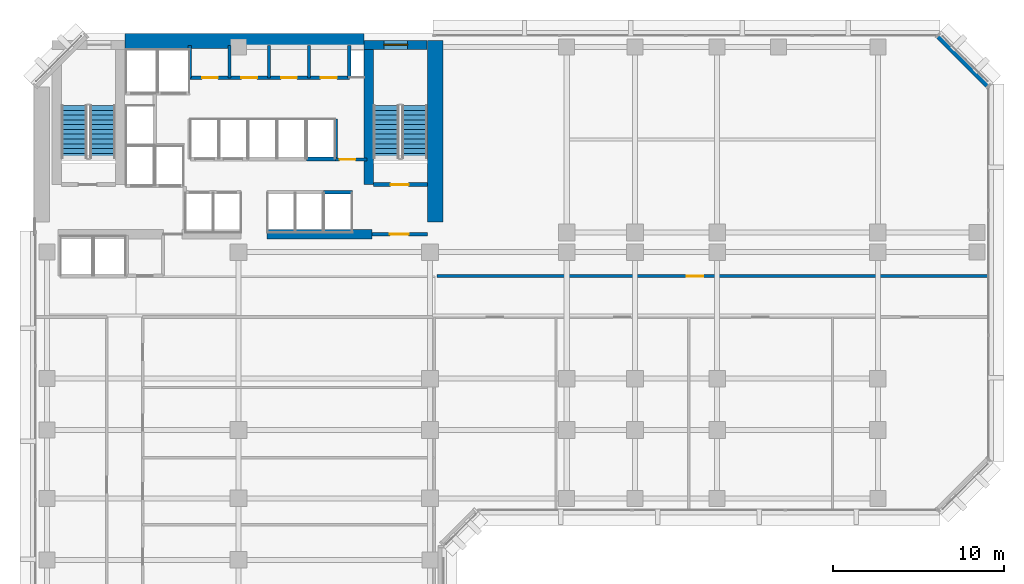
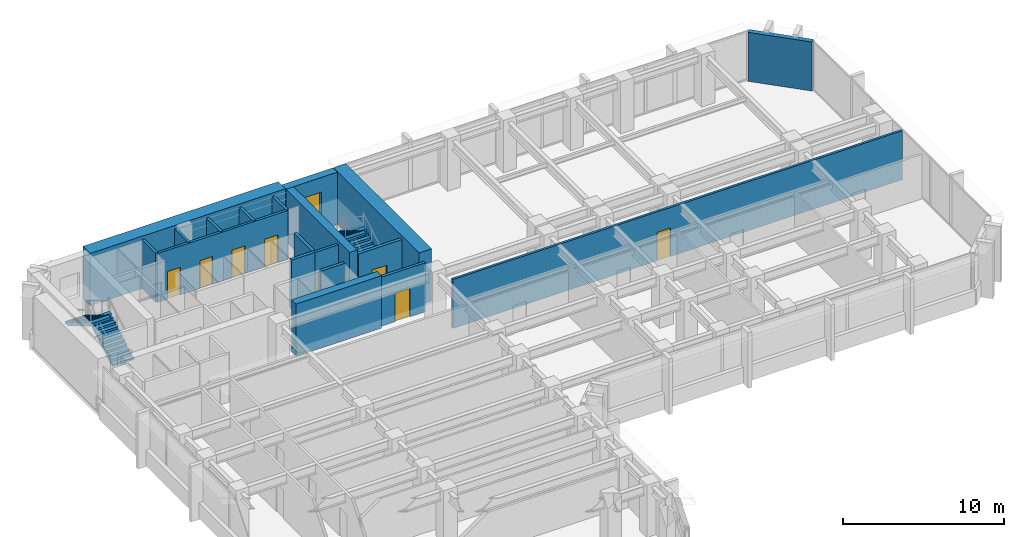
# One storey, part 8 of 13: 19 walls, 8 doors, 4 stair flights, 1 window, 9 openings, 2 elements without a shape of their own.
"""IFC4 building model written with IfcOpenShell, lengths in metres."""

from ifc_helpers import new_model, si_unit, direction, frame, frame_2d, origin, place, context, subcontext, project, spatial, polyline, rectangle, outline, extrude, material, layer, layer_set, type_object, element, fill, aggregate, save


model = new_model("IFC4")

# Units and contexts
model_context = context("Model", 3, precision=1e-05, world=origin(), true_north=direction((0.0, 1.0)))
body_context = subcontext(model_context, "Body", "Model", "MODEL_VIEW")
ifc_project = project(units=[si_unit("LENGTHUNIT", "METRE"), si_unit("AREAUNIT", "SQUARE_METRE"), si_unit("VOLUMEUNIT", "CUBIC_METRE"), si_unit("PLANEANGLEUNIT", "RADIAN"), si_unit("MASSUNIT", "GRAM", prefix="KILO")], contexts=[model_context])

# Site, building, storey
site_placement = place(None, origin())
site = spatial("IfcSite", under=ifc_project, at=site_placement, CompositionType="ELEMENT")
building_placement = place(site_placement, origin())
building = spatial("IfcBuilding", under=site, at=building_placement, Name="Kefirva Bronze Tower", CompositionType="ELEMENT")
storey_placement = place(building_placement, frame((0.0, 0.0, 81.840087890625)))
storey = spatial("IfcBuildingStorey", under=building, at=storey_placement, Name="L19", CompositionType="ELEMENT", Elevation=81.840087890625)

# Wall, opening, door
ifc_material_1 = material(Name="Gypsum fireboard shaftwall")
ifc_layer_1 = layer(ifc_material_1, 0.219970703125, Name="Gypsum fireboard shaftwall")
ifc_layer_set_1 = layer_set([ifc_layer_1], Name="Gypsum fireboard shaftwall")
wall_type_1 = type_object("IfcWallType", Name="Fire-Rated Shaft Enclosure Wall 220mm", PredefinedType="PARTITIONING", material=ifc_layer_set_1)
wall_1_placement = place(storey_placement, frame((19.89990234375, 37.14990234375, 0.0), z_axis=(0.0, 0.0, 1.0), x_axis=(1.0, 0.0, 0.0)))
wall_1 = element("IfcWall", 1, at=wall_1_placement, inside=storey, type_object=wall_type_1, Name="L19 Partition W-L19-ST2S", PredefinedType="PARTITIONING", context=body_context, shape_type="SweptSolid", body=[
    extrude(rectangle(XDim=3.150146484375, YDim=0.219970703125, at=frame_2d((1.5751953125, 0.0))), origin(), (0.0, 0.0, 1.0), 3.7099609375),
])
opening_1_placement = place(wall_1_placement, frame((2.050048828125, 0.0, 0.0), z_axis=(0.0, 0.0, 1.0), x_axis=(-1.0, 0.0, 0.0)))
opening_1 = element("IfcOpeningElement", 2, at=opening_1_placement, cuts=wall_1, Name="Opening L19-D003", PredefinedType="OPENING", context=body_context, shape_type="SweptSolid", body=[
    extrude(rectangle(XDim=1.050048828125, YDim=2.14990234375, at=frame_2d((0.52490234375, 1.074951171875))), frame((0.0, 0.1201171875, 0.0), z_axis=(0.0, -1.0, 0.0), x_axis=(1.0, 0.0, 0.0)), (0.0, 0.0, 1.0), 0.239990234375),
])
ifc_material_2 = material(Name="Painted galvanized steel", Category="steel")
door_type_1 = type_object("IfcDoorType", Name="Fire Stair Enclosure Door 1050x2150 FD90S", OperationType="NOTDEFINED", PredefinedType="DOOR", material=ifc_material_2)
door_1_placement = place(opening_1_placement, origin())
door_1 = element("IfcDoor", 3, at=door_1_placement, inside=storey, type_object=door_type_1, Name="Door L19-D003", OperationType="SINGLE_SWING_LEFT", OverallHeight=2.14990234375, OverallWidth=1.050048828125, PredefinedType="DOOR", context=body_context, shape_type="SweptSolid", body=[
    extrude(rectangle(XDim=1.050048828125, YDim=2.14990234375, at=frame_2d((0.52490234375, 1.074951171875))), frame((0.0, 0.02490234375, 0.0), z_axis=(0.0, -1.0, 0.0), x_axis=(1.0, 0.0, 0.0)), (0.0, 0.0, 1.0), 0.050048828125),
])
fill(opening_1, door_1)

# Walls
wall_2_placement = place(storey_placement, frame((17.679931640625, 38.64990234375, 0.0), z_axis=(0.0, 0.0, 1.0), x_axis=(0.0, 1.0, 0.0)))
element("IfcWall", 4, at=wall_2_placement, inside=storey, type_object=wall_type_1, Name="L19 Partition W-L19-HP2E", PredefinedType="PARTITIONING", context=body_context, shape_type="SweptSolid", body=[
    extrude(rectangle(XDim=2.35009765625, YDim=0.199951171875, at=frame_2d((1.175048828125, 0.0))), origin(), (0.0, 0.0, 1.0), 3.7099609375),
])
wall_3_placement = place(storey_placement, frame((16.97998046875, 36.699951171875, 0.0), z_axis=(0.0, 0.0, 1.0), x_axis=(1.0, 0.0, 0.0)))
element("IfcWall", 5, at=wall_3_placement, inside=storey, type_object=wall_type_1, Name="L19 Partition W-L19-HPS", PredefinedType="PARTITIONING", context=body_context, shape_type="SweptSolid", body=[
    extrude(rectangle(XDim=1.699951171875, YDim=0.219970703125, at=frame_2d((0.85009765625, 0.0))), origin(), (0.0, 0.0, 1.0), 3.7099609375),
])
wall_4_placement = place(storey_placement, frame((15.97998046875, 38.64990234375, 0.0), z_axis=(0.0, 0.0, 1.0), x_axis=(1.0, 0.0, 0.0)))
element("IfcWall", 6, at=wall_4_placement, inside=storey, type_object=wall_type_1, Name="L19 Partition W-L19-HPN", PredefinedType="PARTITIONING", context=body_context, shape_type="SweptSolid", body=[
    extrude(rectangle(XDim=1.719970703125, YDim=0.219970703125, at=frame_2d((0.85986328125, 0.0))), origin(), (0.0, 0.0, 1.0), 3.7099609375),
])

# Wall, opening, door
ifc_material_3 = material(Name="Gypsum fireboard barrier")
ifc_layer_2 = layer(ifc_material_3, 0.199951171875, Name="Gypsum fireboard barrier")
ifc_layer_set_2 = layer_set([ifc_layer_2], Name="Gypsum fireboard barrier")
wall_type_2 = type_object("IfcWallType", Name="Firefighting Lobby Barrier Wall 200mm", PredefinedType="PARTITIONING", material=ifc_layer_set_2)
wall_5_placement = place(storey_placement, frame((19.800048828125, 34.25, 0.0), z_axis=(0.0, 0.0, 1.0), x_axis=(1.0, 0.0, 0.0)))
wall_5 = element("IfcWall", 7, at=wall_5_placement, inside=storey, type_object=wall_type_2, Name="L19 Partition W-L19-ST2F", PredefinedType="PARTITIONING", context=body_context, shape_type="SweptSolid", body=[
    extrude(rectangle(XDim=3.25, YDim=0.199951171875, at=frame_2d((1.625, 0.0))), origin(), (0.0, 0.0, 1.0), 3.7099609375),
])
opening_2_placement = place(wall_5_placement, frame((2.150146484375, 0.0, 0.0), z_axis=(0.0, 0.0, 1.0), x_axis=(-1.0, 0.0, 0.0)))
opening_2 = element("IfcOpeningElement", 8, at=opening_2_placement, cuts=wall_5, Name="Opening L19-D004", PredefinedType="OPENING", context=body_context, shape_type="SweptSolid", body=[
    extrude(rectangle(XDim=1.10009765625, YDim=2.14990234375, at=frame_2d((0.550048828125, 1.074951171875))), frame((0.0, 0.10986328125, 0.0), z_axis=(0.0, -1.0, 0.0), x_axis=(1.0, 0.0, 0.0)), (0.0, 0.0, 1.0), 0.219970703125),
])
door_type_2 = type_object("IfcDoorType", Name="Firefighting Lobby Smoke Door 1100x2150 FD60S", OperationType="NOTDEFINED", PredefinedType="DOOR", material=ifc_material_2)
door_2_placement = place(opening_2_placement, origin())
door_2 = element("IfcDoor", 9, at=door_2_placement, inside=storey, type_object=door_type_2, Name="Door L19-D004", OperationType="SINGLE_SWING_RIGHT", OverallHeight=2.14990234375, OverallWidth=1.10009765625, PredefinedType="DOOR", context=body_context, shape_type="SweptSolid", body=[
    extrude(rectangle(XDim=1.10009765625, YDim=2.14990234375, at=frame_2d((0.550048828125, 1.074951171875))), frame((0.0, 0.02490234375, 0.0), z_axis=(0.0, -1.0, 0.0), x_axis=(1.0, 0.0, 0.0)), (0.0, 0.0, 1.0), 0.050048828125),
])
fill(opening_2, door_2)

wall_6_placement = place(storey_placement, frame((17.679931640625, 38.6201171875, 0.0), z_axis=(0.0, 0.0, 1.0), x_axis=(1.0, 0.0, 0.0)))
wall_6 = element("IfcWall", 10, at=wall_6_placement, inside=storey, type_object=wall_type_2, Name="L19 Partition W-L19-CPASS", PredefinedType="PARTITIONING", context=body_context, shape_type="SweptSolid", body=[
    extrude(rectangle(XDim=1.840087890625, YDim=0.179931640625, at=frame_2d((0.919921875, 0.0))), origin(), (0.0, 0.0, 1.0), 3.7099609375),
])
opening_3_placement = place(wall_6_placement, frame((0.239990234375, 0.0, 0.0)))
opening_3 = element("IfcOpeningElement", 11, at=opening_3_placement, cuts=wall_6, Name="Opening L19-D-CPAS", PredefinedType="OPENING", context=body_context, shape_type="SweptSolid", body=[
    extrude(rectangle(XDim=0.919921875, YDim=2.10009765625, at=frame_2d((0.4599609375, 1.050048828125))), frame((0.0, 0.10009765625, 0.0), z_axis=(0.0, -1.0, 0.0), x_axis=(1.0, 0.0, 0.0)), (0.0, 0.0, 1.0), 0.199951171875),
])
ifc_material_4 = material(Name="Moisture-resistant timber", Category="wood")
door_type_3 = type_object("IfcDoorType", Name="Accessible Sanitary & WC Door 920x2100", OperationType="NOTDEFINED", PredefinedType="DOOR", material=ifc_material_4)
door_3_placement = place(opening_3_placement, origin())
door_3 = element("IfcDoor", 12, at=door_3_placement, inside=storey, type_object=door_type_3, Name="Door L19-D-CPAS", OperationType="SINGLE_SWING_LEFT", OverallHeight=2.10009765625, OverallWidth=0.919921875, PredefinedType="DOOR", context=body_context, shape_type="SweptSolid", body=[
    extrude(rectangle(XDim=0.919921875, YDim=2.10009765625, at=frame_2d((0.4599609375, 1.050048828125))), frame((0.0, 0.02490234375, 0.0), z_axis=(0.0, -1.0, 0.0), x_axis=(1.0, 0.0, 0.0)), (0.0, 0.0, 1.0), 0.050048828125),
])
fill(opening_3, door_3)

# Wall
ifc_material_5 = material(Name="Precast concrete C40/50", Category="concrete")
ifc_layer_3 = layer(ifc_material_5, 0.320068359375, Name="Precast concrete C40/50")
ifc_layer_set_3 = layer_set([ifc_layer_3], Name="Precast concrete C40/50")
wall_type_3 = type_object("IfcWallType", Name="Precast Insulated Exterior Wall 320mm", PredefinedType="SOLIDWALL", material=ifc_layer_set_3)
wall_7_placement = place(storey_placement, frame((55.847900390625, 42.92578125, 0.0), z_axis=(0.0, 0.0, 1.0), x_axis=(-0.707106781187, 0.707106781187, 0.0)))
element("IfcWall", 13, at=wall_7_placement, inside=storey, type_object=wall_type_3, Name="L19 Exterior Facade Wall 5", PredefinedType="SOLIDWALL", context=body_context, shape_type="SweptSolid", body=[
    extrude(rectangle(XDim=4.132568359375, YDim=0.320068359375, at=frame_2d((2.06640625, 0.0))), origin(), (0.0, 0.0, 1.0), 3.7099609375),
])

# Wall, opening, door
ifc_material_6 = material(Name="Gypsum acoustic partition")
ifc_layer_4 = layer(ifc_material_6, 0.159912109375, Name="Gypsum acoustic partition")
ifc_layer_set_4 = layer_set([ifc_layer_4], Name="Gypsum acoustic partition")
wall_type_4 = type_object("IfcWallType", Name="Protected Corridor Partition 160mm", PredefinedType="PARTITIONING", material=ifc_layer_set_4)
wall_8_placement = place(storey_placement, frame((23.60009765625, 31.800048828125, 0.0), z_axis=(0.0, 0.0, 1.0), x_axis=(1.0, 0.0, 0.0)))
wall_8 = element("IfcWall", 14, at=wall_8_placement, inside=storey, type_object=wall_type_4, Name="L19 Partition W-L19-EWN", PredefinedType="PARTITIONING", context=body_context, shape_type="SweptSolid", body=[
    extrude(rectangle(XDim=32.2099609375, YDim=0.159912109375, at=frame_2d((16.10498046875, 0.0))), origin(), (0.0, 0.0, 1.0), 3.7099609375),
])
opening_4_placement = place(wall_8_placement, frame((14.6298828125, 0.0, 0.0)))
opening_4 = element("IfcOpeningElement", 15, at=opening_4_placement, cuts=wall_8, Name="Opening L19-D-EN1", PredefinedType="OPENING", context=body_context, shape_type="SweptSolid", body=[
    extrude(rectangle(XDim=0.949951171875, YDim=2.14990234375, at=frame_2d((0.47509765625, 1.074951171875))), frame((0.0, 0.08984375, 0.0), z_axis=(0.0, -1.0, 0.0), x_axis=(1.0, 0.0, 0.0)), (0.0, 0.0, 1.0), 0.179931640625),
])
ifc_material_7 = material(Name="Acoustic hardwood oak", Category="wood")
door_type_4 = type_object("IfcDoorType", Name="Office & Meeting Room Door 950x2150", OperationType="NOTDEFINED", PredefinedType="DOOR", material=ifc_material_7)
door_4_placement = place(opening_4_placement, origin())
door_4 = element("IfcDoor", 16, at=door_4_placement, inside=storey, type_object=door_type_4, Name="Door L19-D-EN1", OperationType="SINGLE_SWING_RIGHT", OverallHeight=2.14990234375, OverallWidth=0.949951171875, PredefinedType="DOOR", context=body_context, shape_type="SweptSolid", body=[
    extrude(rectangle(XDim=0.949951171875, YDim=2.14990234375, at=frame_2d((0.47509765625, 1.074951171875))), frame((0.0, 0.02490234375, 0.0), z_axis=(0.0, -1.0, 0.0), x_axis=(1.0, 0.0, 0.0)), (0.0, 0.0, 1.0), 0.050048828125),
])
fill(opening_4, door_4)

# Wall, opening, window
ifc_material_8 = material(Name="Concrete C50/60", Category="concrete")
ifc_layer_5 = layer(ifc_material_8, 0.550048828125, Name="Concrete C50/60")
ifc_layer_set_5 = layer_set([ifc_layer_5], Name="Concrete C50/60")
wall_type_5 = type_object("IfcWallType", Name="RC Rear Core Exterior Wall 550mm", PredefinedType="SHEAR", material=ifc_layer_set_5)
wall_9_placement = place(storey_placement, frame((19.35009765625, 45.320068359375, 0.0), z_axis=(0.0, 0.0, 1.0), x_axis=(1.0, 0.0, 0.0)))
wall_9 = element("IfcWall", 17, at=wall_9_placement, inside=storey, type_object=wall_type_5, Name="L19 Stair 2 North Shear Wall", PredefinedType="SHEAR", context=body_context, shape_type="SweptSolid", body=[
    extrude(rectangle(XDim=3.68994140625, YDim=0.550048828125, at=frame_2d((1.844970703125, 0.0))), origin(), (0.0, 0.0, 1.0), 3.9599609375),
])
opening_5_placement = place(wall_9_placement, frame((1.14990234375, 0.0, 1.050048828125)))
opening_5 = element("IfcOpeningElement", 18, at=opening_5_placement, cuts=wall_9, Name="Opening WN-03", PredefinedType="OPENING", context=body_context, shape_type="SweptSolid", body=[
    extrude(rectangle(XDim=1.39990234375, YDim=1.800048828125, at=frame_2d((0.699951171875, 0.89990234375))), frame((0.0, 0.28515625, 0.0), z_axis=(0.0, -1.0, 0.0), x_axis=(1.0, 0.0, 0.0)), (0.0, 0.0, 1.0), 0.570068359375),
])
ifc_material_9 = material(Name="Laminated low-E double glazing", Category="glass")
window_type = type_object("IfcWindowType", Name="Rear-Core Stair Daylight Window 1400x1800", PartitioningType="SINGLE_PANEL", PredefinedType="WINDOW", material=ifc_material_9)
window_placement = place(opening_5_placement, origin())
window = element("IfcWindow", 19, at=window_placement, inside=storey, type_object=window_type, Name="L19 Stair 2 Daylight Window", OverallHeight=1.800048828125, OverallWidth=1.39990234375, PartitioningType="SINGLE_PANEL", PredefinedType="WINDOW", context=body_context, shape_type="SweptSolid", body=[
    extrude(rectangle(XDim=1.39990234375, YDim=1.800048828125, at=frame_2d((0.699951171875, 0.89990234375))), frame((0.0, 0.030029296875, 0.0), z_axis=(0.0, -1.0, 0.0), x_axis=(1.0, 0.0, 0.0)), (0.0, 0.0, 1.0), 0.06005859375),
])
fill(opening_5, window)

# Walls
ifc_material_10 = material(Name="Concrete C60/75", Category="concrete")
ifc_layer_6 = layer(ifc_material_10, 0.89990234375, Name="Concrete C60/75")
ifc_layer_set_6 = layer_set([ifc_layer_6], Name="Concrete C60/75")
wall_type_6 = type_object("IfcWallType", Name="RC Rear Core Exterior Wall 900mm", PredefinedType="SHEAR", material=ifc_layer_set_6)
wall_10_placement = place(storey_placement, frame((5.360107421875, 45.550048828125, 0.0), z_axis=(0.0, 0.0, 1.0), x_axis=(1.0, 0.0, 0.0)))
element("IfcWall", 20, at=wall_10_placement, inside=storey, type_object=wall_type_6, Name="L19 Rear Core North Shear Wall", PredefinedType="SHEAR", context=body_context, shape_type="SweptSolid", body=[
    extrude(rectangle(XDim=13.97998046875, YDim=0.89990234375, at=frame_2d((6.989990234375, 0.0))), origin(), (0.0, 0.0, 1.0), 3.9599609375),
])
ifc_layer_7 = layer(ifc_material_8, 0.550048828125, Name="Concrete C50/60")
ifc_layer_set_7 = layer_set([ifc_layer_7], Name="Concrete C50/60")
wall_type_7 = type_object("IfcWallType", Name="RC Rear Core Interior Wall 550mm", PredefinedType="SHEAR", material=ifc_layer_set_7)
wall_11_placement = place(storey_placement, frame((19.6201171875, 37.14990234375, 0.0), z_axis=(0.0, 0.0, 1.0), x_axis=(0.0, 1.0, 0.0)))
element("IfcWall", 21, at=wall_11_placement, inside=storey, type_object=wall_type_7, Name="L19 Stair 2 West Shear Wall", PredefinedType="SHEAR", context=body_context, shape_type="SweptSolid", body=[
    extrude(rectangle(XDim=7.89013671875, YDim=0.550048828125, at=frame_2d((3.945068359375, 0.0))), origin(), (0.0, 0.0, 1.0), 3.9599609375),
])
ifc_layer_8 = layer(ifc_material_10, 0.89990234375, Name="Concrete C60/75")
ifc_layer_set_8 = layer_set([ifc_layer_8], Name="Concrete C60/75")
wall_type_8 = type_object("IfcWallType", Name="RC Rear Core Interior Wall 900mm", PredefinedType="SHEAR", material=ifc_layer_set_8)
wall_12_placement = place(storey_placement, frame((23.5, 34.949951171875, 0.0), z_axis=(0.0, 0.0, 1.0), x_axis=(0.0, 1.0, 0.0)))
element("IfcWall", 22, at=wall_12_placement, inside=storey, type_object=wall_type_8, Name="L19 Rear Core East Shear Wall", PredefinedType="SHEAR", context=body_context, shape_type="SweptSolid", body=[
    extrude(rectangle(XDim=10.64013671875, YDim=0.89990234375, at=frame_2d((5.320068359375, 0.0))), origin(), (0.0, 0.0, 1.0), 3.9599609375),
])
wall_13_placement = place(storey_placement, frame((13.679931640625, 34.25, 0.0), z_axis=(0.0, 0.0, 1.0), x_axis=(1.0, 0.0, 0.0)))
element("IfcWall", 23, at=wall_13_placement, inside=storey, type_object=wall_type_8, Name="L19 Rear Core South-East Shear Wall", PredefinedType="SHEAR", context=body_context, shape_type="SweptSolid", body=[
    extrude(rectangle(XDim=6.1201171875, YDim=0.550048828125, at=frame_2d((3.06005859375, 0.0))), origin(), (0.0, 0.0, 1.0), 3.9599609375),
])

# Wall, openings, doors
ifc_material_11 = material(Name="Moisture-resistant partition")
ifc_layer_9 = layer(ifc_material_11, 0.179931640625, Name="Moisture-resistant partition")
ifc_layer_set_9 = layer_set([ifc_layer_9], Name="Moisture-resistant partition")
wall_type_9 = type_object("IfcWallType", Name="Sanitary Plumbing Chase Wall 180mm", PredefinedType="PLUMBINGWALL", material=ifc_layer_set_9)
wall_14_placement = place(storey_placement, frame((9.14990234375, 43.39990234375, 0.0), z_axis=(0.0, 0.0, 1.0), x_axis=(1.0, 0.0, 0.0)))
wall_14 = element("IfcWall", 24, at=wall_14_placement, inside=storey, type_object=wall_type_9, Name="L19 Partition W-L19-SVCS", PredefinedType="PLUMBINGWALL", context=body_context, shape_type="SweptSolid", body=[
    extrude(rectangle(XDim=9.330078125, YDim=0.179931640625, at=frame_2d((4.6650390625, 0.0))), origin(), (0.0, 0.0, 1.0), 3.7099609375),
])
opening_6_placement = place(wall_14_placement, frame((0.719970703125, 0.0, 0.0)))
opening_6 = element("IfcOpeningElement", 25, at=opening_6_placement, cuts=wall_14, Name="Opening L19-D-CSVC1", PredefinedType="OPENING", context=body_context, shape_type="SweptSolid", body=[
    extrude(rectangle(XDim=0.919921875, YDim=2.10009765625, at=frame_2d((0.4599609375, 1.050048828125))), frame((0.0, 0.10009765625, 0.0), z_axis=(0.0, -1.0, 0.0), x_axis=(1.0, 0.0, 0.0)), (0.0, 0.0, 1.0), 0.199951171875),
])
opening_7_placement = place(wall_14_placement, frame((3.02001953125, 0.0, 0.0)))
opening_7 = element("IfcOpeningElement", 26, at=opening_7_placement, cuts=wall_14, Name="Opening L19-D-CSVC2", PredefinedType="OPENING", context=body_context, shape_type="SweptSolid", body=[
    extrude(rectangle(XDim=0.919921875, YDim=2.10009765625, at=frame_2d((0.4599609375, 1.050048828125))), frame((0.0, 0.10009765625, 0.0), z_axis=(0.0, -1.0, 0.0), x_axis=(1.0, 0.0, 0.0)), (0.0, 0.0, 1.0), 0.199951171875),
])
opening_8_placement = place(wall_14_placement, frame((5.340087890625, 0.0, 0.0)))
opening_8 = element("IfcOpeningElement", 27, at=opening_8_placement, cuts=wall_14, Name="Opening L19-D-CSVC3", PredefinedType="OPENING", context=body_context, shape_type="SweptSolid", body=[
    extrude(rectangle(XDim=0.919921875, YDim=2.10009765625, at=frame_2d((0.4599609375, 1.050048828125))), frame((0.0, 0.10009765625, 0.0), z_axis=(0.0, -1.0, 0.0), x_axis=(1.0, 0.0, 0.0)), (0.0, 0.0, 1.0), 0.199951171875),
])
opening_9_placement = place(wall_14_placement, frame((7.659912109375, 0.0, 0.0)))
opening_9 = element("IfcOpeningElement", 28, at=opening_9_placement, cuts=wall_14, Name="Opening L19-D-CSVC4", PredefinedType="OPENING", context=body_context, shape_type="SweptSolid", body=[
    extrude(rectangle(XDim=0.949951171875, YDim=2.10009765625, at=frame_2d((0.47509765625, 1.050048828125))), frame((0.0, 0.10009765625, 0.0), z_axis=(0.0, -1.0, 0.0), x_axis=(1.0, 0.0, 0.0)), (0.0, 0.0, 1.0), 0.199951171875),
])
door_5_placement = place(opening_6_placement, origin())
door_5 = element("IfcDoor", 29, at=door_5_placement, inside=storey, type_object=door_type_3, Name="Door L19-D-CSVC1", OperationType="SINGLE_SWING_LEFT", OverallHeight=2.10009765625, OverallWidth=0.919921875, PredefinedType="DOOR", context=body_context, shape_type="SweptSolid", body=[
    extrude(rectangle(XDim=0.919921875, YDim=2.10009765625, at=frame_2d((0.4599609375, 1.050048828125))), frame((0.0, 0.02490234375, 0.0), z_axis=(0.0, -1.0, 0.0), x_axis=(1.0, 0.0, 0.0)), (0.0, 0.0, 1.0), 0.050048828125),
])
fill(opening_6, door_5)
door_6_placement = place(opening_7_placement, origin())
door_6 = element("IfcDoor", 30, at=door_6_placement, inside=storey, type_object=door_type_3, Name="Door L19-D-CSVC2", OperationType="SINGLE_SWING_RIGHT", OverallHeight=2.10009765625, OverallWidth=0.919921875, PredefinedType="DOOR", context=body_context, shape_type="SweptSolid", body=[
    extrude(rectangle(XDim=0.919921875, YDim=2.10009765625, at=frame_2d((0.4599609375, 1.050048828125))), frame((0.0, 0.02490234375, 0.0), z_axis=(0.0, -1.0, 0.0), x_axis=(1.0, 0.0, 0.0)), (0.0, 0.0, 1.0), 0.050048828125),
])
fill(opening_7, door_6)
door_7_placement = place(opening_8_placement, origin())
door_7 = element("IfcDoor", 31, at=door_7_placement, inside=storey, type_object=door_type_3, Name="Door L19-D-CSVC3", OperationType="SINGLE_SWING_LEFT", OverallHeight=2.10009765625, OverallWidth=0.919921875, PredefinedType="DOOR", context=body_context, shape_type="SweptSolid", body=[
    extrude(rectangle(XDim=0.919921875, YDim=2.10009765625, at=frame_2d((0.4599609375, 1.050048828125))), frame((0.0, 0.02490234375, 0.0), z_axis=(0.0, -1.0, 0.0), x_axis=(1.0, 0.0, 0.0)), (0.0, 0.0, 1.0), 0.050048828125),
])
fill(opening_8, door_7)
door_type_5 = type_object("IfcDoorType", Name="Riser & Plant Shaft Fire Door 950x2100 FD60S", OperationType="NOTDEFINED", PredefinedType="DOOR", material=ifc_material_2)
door_8_placement = place(opening_9_placement, origin())
door_8 = element("IfcDoor", 32, at=door_8_placement, inside=storey, type_object=door_type_5, Name="Door L19-D-CSVC4", OperationType="SINGLE_SWING_RIGHT", OverallHeight=2.10009765625, OverallWidth=0.949951171875, PredefinedType="DOOR", context=body_context, shape_type="SweptSolid", body=[
    extrude(rectangle(XDim=0.949951171875, YDim=2.10009765625, at=frame_2d((0.47509765625, 1.050048828125))), frame((0.0, 0.02490234375, 0.0), z_axis=(0.0, -1.0, 0.0), x_axis=(1.0, 0.0, 0.0)), (0.0, 0.0, 1.0), 0.050048828125),
])
fill(opening_9, door_8)

# Walls
for number, where, z_axis, x_axis, name in (
    (33, (9.14990234375, 43.39990234375, 0.0), (0.0, 0.0, 1.0), (0.0, 1.0, 0.0), "L19 Partition W-L19-SVCW"),
    (34, (18.47998046875, 43.39990234375, 0.0), (0.0, 0.0, 1.0), (0.0, 1.0, 0.0), "L19 Partition W-L19-SVCE"),
    (35, (11.47998046875, 43.39990234375, 0.0), (0.0, 0.0, 1.0), (0.0, 1.0, 0.0), "L19 Partition W-L19-CSVD-1"),
    (36, (13.780029296875, 43.39990234375, 0.0), (0.0, 0.0, 1.0), (0.0, 1.0, 0.0), "L19 Partition W-L19-CSVD-2"),
    (37, (16.1201171875, 43.39990234375, 0.0), (0.0, 0.0, 1.0), (0.0, 1.0, 0.0), "L19 Partition W-L19-CSVD-3"),
):
    element("IfcWall", number, at=place(storey_placement, frame(where, z_axis=z_axis, x_axis=x_axis)), inside=storey, type_object=wall_type_9, Name=name, PredefinedType="PLUMBINGWALL", context=body_context, shape_type="SweptSolid", body=[
        extrude(rectangle(XDim=1.880126953125, YDim=0.179931640625, at=frame_2d((0.93994140625, 0.0))), origin(), (0.0, 0.0, 1.0), 3.7099609375),
    ])

# Stair, stair flights
ifc_material_12 = material(Name="Concrete C40/50", Category="concrete")
stair_type = type_object("IfcStairType", Name="RC Dogleg Protected Stair 24R", PredefinedType="HALF_TURN_STAIR", material=ifc_material_12)
stair_1_placement = place(storey_placement, origin())
stair_1 = element("IfcStair", 38, at=stair_1_placement, inside=storey, type_object=stair_type, Name="L19 Protected Exit Stair 1", PredefinedType="HALF_TURN_STAIR")
stair_flight_type = type_object("IfcStairFlightType", Name="RC Straight Stair Flight 24R", PredefinedType="STRAIGHT", material=ifc_material_12)
stair_flight_1_placement = place(storey_placement, frame((4.050048828125, 38.699951171875, 0.0), z_axis=(0.0, 0.0, 1.0), x_axis=(0.0, 1.0, 0.0)))
stair_flight_1 = element("IfcStairFlight", 39, at=stair_flight_1_placement, type_object=stair_flight_type, Name="ST-1 flight 1", NumberOfRisers=12, NumberOfTreads=11, PredefinedType="STRAIGHT", RiserHeight=0.165, TreadLength=0.28, context=body_context, shape_type="SweptSolid", body=[
    extrude(outline(polyline([(0.0, 0.0), (0.0, 0.1650390625), (0.280029296875, 0.1650390625), (0.280029296875, 0.330078125), (0.56005859375, 0.330078125), (0.56005859375, 0.4951171875), (0.840087890625, 0.4951171875), (0.840087890625, 0.659912109375), (1.1201171875, 0.659912109375), (1.1201171875, 0.824951171875), (1.39990234375, 0.824951171875), (1.39990234375, 0.989990234375), (1.679931640625, 0.989990234375), (1.679931640625, 1.155029296875), (1.9599609375, 1.155029296875), (1.9599609375, 1.320068359375), (2.239990234375, 1.320068359375), (2.239990234375, 1.485107421875), (2.52001953125, 1.485107421875), (2.52001953125, 1.64990234375), (2.800048828125, 1.64990234375), (2.800048828125, 1.81494140625), (3.080078125, 1.81494140625), (3.080078125, 1.97998046875), (3.080078125, 1.64111328125), (0.295166015625, 0.0), (0.0, 0.0)])), frame((0.0, 0.75, 0.0), z_axis=(0.0, -1.0, 0.0), x_axis=(1.0, 0.0, 0.0)), (0.0, 0.0, 1.0), 1.5),
])
stair_flight_2_placement = place(storey_placement, frame((2.39990234375, 41.780029296875, 1.97998046875), z_axis=(0.0, 0.0, 1.0), x_axis=(0.0, -1.0, 0.0)))
stair_flight_2 = element("IfcStairFlight", 40, at=stair_flight_2_placement, type_object=stair_flight_type, Name="ST-1 flight 2", NumberOfRisers=12, NumberOfTreads=11, PredefinedType="STRAIGHT", RiserHeight=0.165, TreadLength=0.28, context=body_context, shape_type="SweptSolid", body=[
    extrude(outline(polyline([(0.0, 0.0), (0.0, 0.1650390625), (0.280029296875, 0.1650390625), (0.280029296875, 0.330078125), (0.56005859375, 0.330078125), (0.56005859375, 0.4951171875), (0.840087890625, 0.4951171875), (0.840087890625, 0.659912109375), (1.1201171875, 0.659912109375), (1.1201171875, 0.824951171875), (1.39990234375, 0.824951171875), (1.39990234375, 0.989990234375), (1.679931640625, 0.989990234375), (1.679931640625, 1.155029296875), (1.9599609375, 1.155029296875), (1.9599609375, 1.320068359375), (2.239990234375, 1.320068359375), (2.239990234375, 1.485107421875), (2.52001953125, 1.485107421875), (2.52001953125, 1.64990234375), (2.800048828125, 1.64990234375), (2.800048828125, 1.81494140625), (3.080078125, 1.81494140625), (3.080078125, 1.97998046875), (3.080078125, 1.64111328125), (0.295166015625, 0.0), (0.0, 0.0)])), frame((0.0, 0.75, 0.0), z_axis=(0.0, -1.0, 0.0), x_axis=(1.0, 0.0, 0.0)), (0.0, 0.0, 1.0), 1.5),
])
aggregate(stair_1, [stair_flight_1, stair_flight_2])

stair_2_placement = place(storey_placement, origin())
stair_2 = element("IfcStair", 41, at=stair_2_placement, inside=storey, type_object=stair_type, Name="L19 Protected Exit Stair 2", PredefinedType="HALF_TURN_STAIR")
stair_flight_3_placement = place(storey_placement, frame((22.300048828125, 38.699951171875, 0.0), z_axis=(0.0, 0.0, 1.0), x_axis=(0.0, 1.0, 0.0)))
stair_flight_3 = element("IfcStairFlight", 42, at=stair_flight_3_placement, type_object=stair_flight_type, Name="ST-2 flight 1", NumberOfRisers=12, NumberOfTreads=11, PredefinedType="STRAIGHT", RiserHeight=0.165, TreadLength=0.28, context=body_context, shape_type="SweptSolid", body=[
    extrude(outline(polyline([(0.0, 0.0), (0.0, 0.1650390625), (0.280029296875, 0.1650390625), (0.280029296875, 0.330078125), (0.56005859375, 0.330078125), (0.56005859375, 0.4951171875), (0.840087890625, 0.4951171875), (0.840087890625, 0.659912109375), (1.1201171875, 0.659912109375), (1.1201171875, 0.824951171875), (1.39990234375, 0.824951171875), (1.39990234375, 0.989990234375), (1.679931640625, 0.989990234375), (1.679931640625, 1.155029296875), (1.9599609375, 1.155029296875), (1.9599609375, 1.320068359375), (2.239990234375, 1.320068359375), (2.239990234375, 1.485107421875), (2.52001953125, 1.485107421875), (2.52001953125, 1.64990234375), (2.800048828125, 1.64990234375), (2.800048828125, 1.81494140625), (3.080078125, 1.81494140625), (3.080078125, 1.97998046875), (3.080078125, 1.64111328125), (0.295166015625, 0.0), (0.0, 0.0)])), frame((0.0, 0.75, 0.0), z_axis=(0.0, -1.0, 0.0), x_axis=(1.0, 0.0, 0.0)), (0.0, 0.0, 1.0), 1.5),
])
stair_flight_4_placement = place(storey_placement, frame((20.64990234375, 41.780029296875, 1.97998046875), z_axis=(0.0, 0.0, 1.0), x_axis=(0.0, -1.0, 0.0)))
stair_flight_4 = element("IfcStairFlight", 43, at=stair_flight_4_placement, type_object=stair_flight_type, Name="ST-2 flight 2", NumberOfRisers=12, NumberOfTreads=11, PredefinedType="STRAIGHT", RiserHeight=0.165, TreadLength=0.28, context=body_context, shape_type="SweptSolid", body=[
    extrude(outline(polyline([(0.0, 0.0), (0.0, 0.1650390625), (0.280029296875, 0.1650390625), (0.280029296875, 0.330078125), (0.56005859375, 0.330078125), (0.56005859375, 0.4951171875), (0.840087890625, 0.4951171875), (0.840087890625, 0.659912109375), (1.1201171875, 0.659912109375), (1.1201171875, 0.824951171875), (1.39990234375, 0.824951171875), (1.39990234375, 0.989990234375), (1.679931640625, 0.989990234375), (1.679931640625, 1.155029296875), (1.9599609375, 1.155029296875), (1.9599609375, 1.320068359375), (2.239990234375, 1.320068359375), (2.239990234375, 1.485107421875), (2.52001953125, 1.485107421875), (2.52001953125, 1.64990234375), (2.800048828125, 1.64990234375), (2.800048828125, 1.81494140625), (3.080078125, 1.81494140625), (3.080078125, 1.97998046875), (3.080078125, 1.64111328125), (0.295166015625, 0.0), (0.0, 0.0)])), frame((0.0, 0.75, 0.0), z_axis=(0.0, -1.0, 0.0), x_axis=(1.0, 0.0, 0.0)), (0.0, 0.0, 1.0), 1.5),
])
aggregate(stair_2, [stair_flight_3, stair_flight_4])

save(model, "model.ifc")
